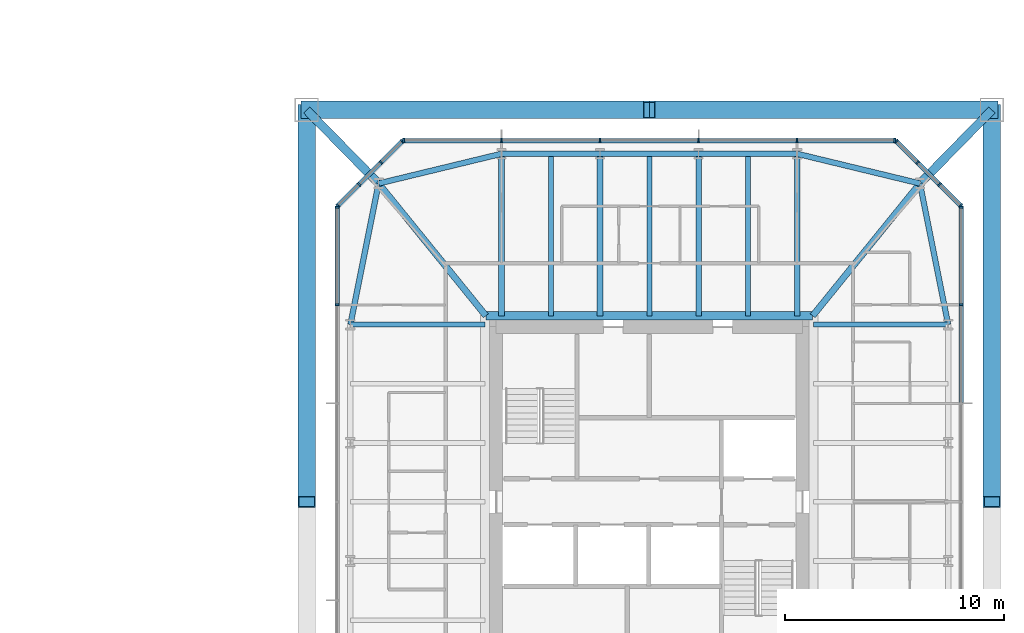
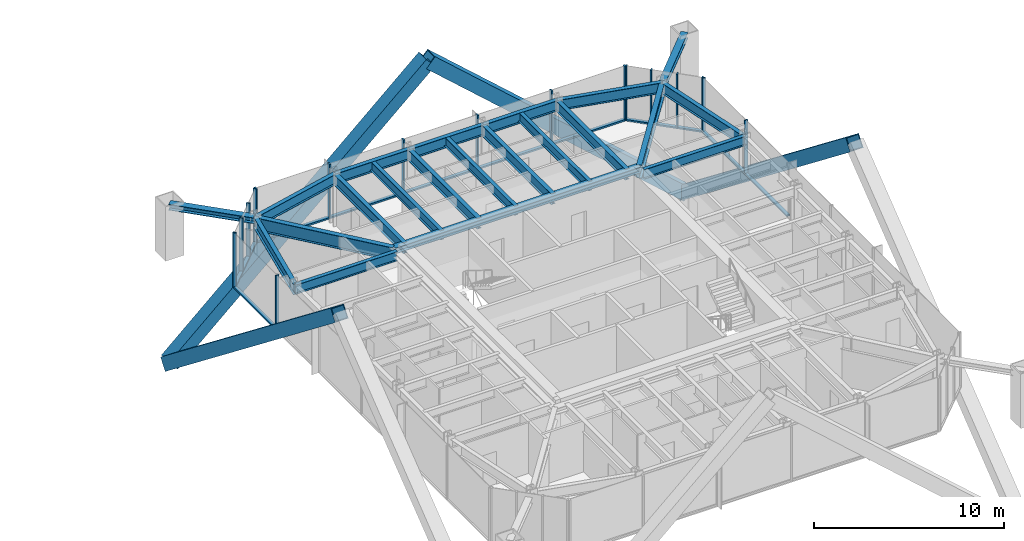
# One storey, part 10 of 25: 38 members, 19 beams, 5 elements without a shape of their own.
"""IFC4 building model written with IfcOpenShell, lengths in metres."""

from ifc_helpers import new_model, si_unit, direction, frame, origin, origin_2d, place, context, subcontext, project, spatial, rectangle, hollow_rectangle, i_section, extrude, material, material_profile, profile_set, type_object, element, aggregate, save


model = new_model("IFC4")

# Units and contexts
model_context = context("Model", 3, precision=1e-05, world=origin(), true_north=direction((0.0, 1.0)))
body_context = subcontext(model_context, "Body", "Model", "MODEL_VIEW")
ifc_project = project(units=[si_unit("LENGTHUNIT", "METRE"), si_unit("AREAUNIT", "SQUARE_METRE"), si_unit("VOLUMEUNIT", "CUBIC_METRE"), si_unit("PLANEANGLEUNIT", "RADIAN"), si_unit("MASSUNIT", "GRAM", prefix="KILO")], contexts=[model_context])

# Site, building, storey
site_placement = place(None, origin())
site = spatial("IfcSite", under=ifc_project, at=site_placement, CompositionType="ELEMENT")
building_placement = place(site_placement, origin())
building = spatial("IfcBuilding", under=site, at=building_placement, Name="Iwan Alto Co-Living Towers", CompositionType="ELEMENT")
storey_placement = place(building_placement, frame((0.0, 0.0, 108.5)))
storey = spatial("IfcBuildingStorey", under=building, at=storey_placement, Name="L29", CompositionType="ELEMENT", Elevation=108.5)

# Curtain wall, members
ifc_material_1 = material(Name="Bronze aluminium unitised frame", Category="aluminium")
curtain_wall_type_1 = type_object("IfcCurtainWallType", Name="CURTAIN WALL CW-C", PredefinedType="NOTDEFINED", material=ifc_material_1)
curtain_wall_1_placement = place(storey_placement, origin())
curtain_wall_1 = element("IfcCurtainWall", 1, at=curtain_wall_1_placement, inside=storey, type_object=curtain_wall_type_1, Name="T2 curtain wall E L29", PredefinedType="NOTDEFINED")
ifc_material_2 = material(Name="Aluminium 6063-T6 bronze anodised", Category="aluminium")
ifc_material_profile_1 = material_profile(ifc_material_2, rectangle(XDim=0.199951171875, YDim=0.080078125, at=origin_2d()), Name="AL 80X200")
ifc_profile_set_1 = profile_set([ifc_material_profile_1], Name="Aluminium 6063-T6 bronze anodised")
member_type_1 = type_object("IfcMemberType", Name="CW-C MULLION 80X200", PredefinedType="MULLION", material=ifc_profile_set_1)
member_1_placement = place(storey_placement, frame((77.25, 9.0, 0.0), z_axis=(0.0, 0.0, 1.0), x_axis=(-1.0, 0.0, 0.0)))
member_1 = element("IfcMember", 2, at=member_1_placement, type_object=member_type_1, Name="CW-C mullion 6", PredefinedType="MULLION", context=body_context, shape_type="SweptSolid", body=[
    extrude(rectangle(XDim=0.199951171875, YDim=0.080078125, at=origin_2d()), origin(), (0.0, 0.0, 1.0), 3.5),
])
member_2_placement = place(storey_placement, frame((77.25, 13.4599609375, 0.0), z_axis=(0.0, 0.0, 1.0), x_axis=(-1.0, 0.0, 0.0)))
member_2 = element("IfcMember", 3, at=member_2_placement, type_object=member_type_1, Name="CW-C mullion 7", PredefinedType="MULLION", context=body_context, shape_type="SweptSolid", body=[
    extrude(rectangle(XDim=0.199951171875, YDim=0.080078125, at=origin_2d()), origin(), (0.0, 0.0, 1.0), 3.5),
])

curtain_wall_2_placement = place(storey_placement, origin())
curtain_wall_2 = element("IfcCurtainWall", 4, at=curtain_wall_2_placement, inside=storey, type_object=curtain_wall_type_1, Name="T2 curtain wall N L29", PredefinedType="NOTDEFINED")
member_3_placement = place(storey_placement, frame((74.2099609375, 16.5, 0.0), z_axis=(0.0, 0.0, 1.0), x_axis=(0.0, -1.0, 0.0)))
member_3 = element("IfcMember", 5, at=member_3_placement, type_object=member_type_1, Name="CW-C mullion 1", PredefinedType="MULLION", context=body_context, shape_type="SweptSolid", body=[
    extrude(rectangle(XDim=0.199951171875, YDim=0.080078125, at=origin_2d()), origin(), (0.0, 0.0, 1.0), 3.5),
])
member_4_placement = place(storey_placement, frame((69.75, 16.5, 0.0), z_axis=(0.0, 0.0, 1.0), x_axis=(0.0, -1.0, 0.0)))
member_4 = element("IfcMember", 6, at=member_4_placement, type_object=member_type_1, Name="CW-C mullion 2", PredefinedType="MULLION", context=body_context, shape_type="SweptSolid", body=[
    extrude(rectangle(XDim=0.199951171875, YDim=0.080078125, at=origin_2d()), origin(), (0.0, 0.0, 1.0), 3.5),
])
member_5_placement = place(storey_placement, frame((65.25, 16.5, 0.0), z_axis=(0.0, 0.0, 1.0), x_axis=(0.0, -1.0, 0.0)))
member_5 = element("IfcMember", 7, at=member_5_placement, type_object=member_type_1, Name="CW-C mullion 3", PredefinedType="MULLION", context=body_context, shape_type="SweptSolid", body=[
    extrude(rectangle(XDim=0.199951171875, YDim=0.080078125, at=origin_2d()), origin(), (0.0, 0.0, 1.0), 3.5),
])
member_6_placement = place(storey_placement, frame((60.75, 16.5, 0.0), z_axis=(0.0, 0.0, 1.0), x_axis=(0.0, -1.0, 0.0)))
member_6 = element("IfcMember", 8, at=member_6_placement, type_object=member_type_1, Name="CW-C mullion 4", PredefinedType="MULLION", context=body_context, shape_type="SweptSolid", body=[
    extrude(rectangle(XDim=0.199951171875, YDim=0.080078125, at=origin_2d()), origin(), (0.0, 0.0, 1.0), 3.5),
])
member_7_placement = place(storey_placement, frame((56.25, 16.5, 0.0), z_axis=(0.0, 0.0, 1.0), x_axis=(0.0, -1.0, 0.0)))
member_7 = element("IfcMember", 9, at=member_7_placement, type_object=member_type_1, Name="CW-C mullion 5", PredefinedType="MULLION", context=body_context, shape_type="SweptSolid", body=[
    extrude(rectangle(XDim=0.199951171875, YDim=0.080078125, at=origin_2d()), origin(), (0.0, 0.0, 1.0), 3.5),
])
member_8_placement = place(storey_placement, frame((51.7900390625, 16.5, 0.0), z_axis=(0.0, 0.0, 1.0), x_axis=(0.0, -1.0, 0.0)))
member_8 = element("IfcMember", 10, at=member_8_placement, type_object=member_type_1, Name="CW-C mullion 6", PredefinedType="MULLION", context=body_context, shape_type="SweptSolid", body=[
    extrude(rectangle(XDim=0.199951171875, YDim=0.080078125, at=origin_2d()), origin(), (0.0, 0.0, 1.0), 3.5),
])

curtain_wall_3_placement = place(storey_placement, origin())
curtain_wall_3 = element("IfcCurtainWall", 11, at=curtain_wall_3_placement, inside=storey, type_object=curtain_wall_type_1, Name="T2 curtain wall W L29", PredefinedType="NOTDEFINED")
member_9_placement = place(storey_placement, frame((48.75, 13.4599609375, 0.0), z_axis=(0.0, 0.0, 1.0), x_axis=(1.0, 0.0, 0.0)))
member_9 = element("IfcMember", 12, at=member_9_placement, type_object=member_type_1, Name="CW-C mullion 1", PredefinedType="MULLION", context=body_context, shape_type="SweptSolid", body=[
    extrude(rectangle(XDim=0.199951171875, YDim=0.080078125, at=origin_2d()), origin(), (0.0, 0.0, 1.0), 3.5),
])
member_10_placement = place(storey_placement, frame((48.75, 9.0, 0.0), z_axis=(0.0, 0.0, 1.0), x_axis=(1.0, 0.0, 0.0)))
member_10 = element("IfcMember", 13, at=member_10_placement, type_object=member_type_1, Name="CW-C mullion 2", PredefinedType="MULLION", context=body_context, shape_type="SweptSolid", body=[
    extrude(rectangle(XDim=0.199951171875, YDim=0.080078125, at=origin_2d()), origin(), (0.0, 0.0, 1.0), 3.5),
])

# Member
ifc_material_3 = material(Name="Aluminium 6063-T6 bronze anodised", Category="aluminium")
ifc_material_profile_2 = material_profile(ifc_material_3, rectangle(XDim=0.199951171875, YDim=0.10009765625, at=origin_2d()), Name="AL 200X100")
ifc_profile_set_2 = profile_set([ifc_material_profile_2], Name="Aluminium 6063-T6 bronze anodised")
member_type_2 = type_object("IfcMemberType", Name="CW-C TRANSOM 200X100", PredefinedType="USERDEFINED", material=ifc_profile_set_2)
member_11_placement = place(storey_placement, frame((77.25, 4.5400390625, 0.050048828125), z_axis=(0.0, 1.0, 0.0), x_axis=(-1.0, 0.0, 0.0)))
member_11 = element("IfcMember", 14, at=member_11_placement, type_object=member_type_2, Name="CW-C transom 5.1", ObjectType="TRANSOM", PredefinedType="USERDEFINED", context=body_context, shape_type="SweptSolid", body=[
    extrude(rectangle(XDim=0.199951171875, YDim=0.10009765625, at=origin_2d()), origin(), (0.0, 0.0, 1.0), 4.419921875),
])

member_12_placement = place(storey_placement, frame((77.25, 9.0400390625, 0.050048828125), z_axis=(0.0, 1.0, 0.0), x_axis=(-1.0, 0.0, 0.0)))
member_12 = element("IfcMember", 15, at=member_12_placement, type_object=member_type_2, Name="CW-C transom 6.1", ObjectType="TRANSOM", PredefinedType="USERDEFINED", context=body_context, shape_type="SweptSolid", body=[
    extrude(rectangle(XDim=0.199951171875, YDim=0.10009765625, at=origin_2d()), origin(), (0.0, 0.0, 1.0), 4.3798828125),
])

aggregate(curtain_wall_1, [member_1, member_2, member_11, member_12])

member_13_placement = place(storey_placement, frame((74.169921875, 16.5, 0.050048828125), z_axis=(-1.0, 0.0, 0.0), x_axis=(0.0, -1.0, 0.0)))
member_13 = element("IfcMember", 16, at=member_13_placement, type_object=member_type_2, Name="CW-C transom 1.1", ObjectType="TRANSOM", PredefinedType="USERDEFINED", context=body_context, shape_type="SweptSolid", body=[
    extrude(rectangle(XDim=0.199951171875, YDim=0.10009765625, at=origin_2d()), origin(), (0.0, 0.0, 1.0), 4.3798828125),
])

member_14_placement = place(storey_placement, frame((69.7099609375, 16.5, 0.050048828125), z_axis=(-1.0, 0.0, 0.0), x_axis=(0.0, -1.0, 0.0)))
member_14 = element("IfcMember", 17, at=member_14_placement, type_object=member_type_2, Name="CW-C transom 2.1", ObjectType="TRANSOM", PredefinedType="USERDEFINED", context=body_context, shape_type="SweptSolid", body=[
    extrude(rectangle(XDim=0.199951171875, YDim=0.10009765625, at=origin_2d()), origin(), (0.0, 0.0, 1.0), 4.419921875),
])

member_15_placement = place(storey_placement, frame((65.2099609375, 16.5, 0.050048828125), z_axis=(-1.0, 0.0, 0.0), x_axis=(0.0, -1.0, 0.0)))
member_15 = element("IfcMember", 18, at=member_15_placement, type_object=member_type_2, Name="CW-C transom 3.1", ObjectType="TRANSOM", PredefinedType="USERDEFINED", context=body_context, shape_type="SweptSolid", body=[
    extrude(rectangle(XDim=0.199951171875, YDim=0.10009765625, at=origin_2d()), origin(), (0.0, 0.0, 1.0), 4.419921875),
])

member_16_placement = place(storey_placement, frame((60.7099609375, 16.5, 0.050048828125), z_axis=(-1.0, 0.0, 0.0), x_axis=(0.0, -1.0, 0.0)))
member_16 = element("IfcMember", 19, at=member_16_placement, type_object=member_type_2, Name="CW-C transom 4.1", ObjectType="TRANSOM", PredefinedType="USERDEFINED", context=body_context, shape_type="SweptSolid", body=[
    extrude(rectangle(XDim=0.199951171875, YDim=0.10009765625, at=origin_2d()), origin(), (0.0, 0.0, 1.0), 4.419921875),
])

member_17_placement = place(storey_placement, frame((56.2099609375, 16.5, 0.050048828125), z_axis=(-1.0, 0.0, 0.0), x_axis=(0.0, -1.0, 0.0)))
member_17 = element("IfcMember", 20, at=member_17_placement, type_object=member_type_2, Name="CW-C transom 5.1", ObjectType="TRANSOM", PredefinedType="USERDEFINED", context=body_context, shape_type="SweptSolid", body=[
    extrude(rectangle(XDim=0.199951171875, YDim=0.10009765625, at=origin_2d()), origin(), (0.0, 0.0, 1.0), 4.3798828125),
])

aggregate(curtain_wall_2, [member_3, member_4, member_5, member_6, member_7, member_8, member_13, member_14, member_15, member_16, member_17])

member_18_placement = place(storey_placement, frame((48.75, 13.419921875, 0.050048828125), z_axis=(0.0, -1.0, 0.0), x_axis=(1.0, 0.0, 0.0)))
member_18 = element("IfcMember", 21, at=member_18_placement, type_object=member_type_2, Name="CW-C transom 1.1", ObjectType="TRANSOM", PredefinedType="USERDEFINED", context=body_context, shape_type="SweptSolid", body=[
    extrude(rectangle(XDim=0.199951171875, YDim=0.10009765625, at=origin_2d()), origin(), (0.0, 0.0, 1.0), 4.3798828125),
])

aggregate(curtain_wall_3, [member_9, member_10, member_18])

# Curtain wall, members
ifc_material_4 = material(Name="Bronze aluminium unitised frame", Category="aluminium")
curtain_wall_type_2 = type_object("IfcCurtainWallType", Name="CURTAIN WALL CW-D", PredefinedType="NOTDEFINED", material=ifc_material_4)
curtain_wall_4_placement = place(storey_placement, origin())
curtain_wall_4 = element("IfcCurtainWall", 22, at=curtain_wall_4_placement, inside=storey, type_object=curtain_wall_type_2, Name="T2 chamfer curtain wall NE L29", PredefinedType="NOTDEFINED")
ifc_material_5 = material(Name="Aluminium 6063-T6 bronze anodised", Category="aluminium")
ifc_material_profile_3 = material_profile(ifc_material_5, rectangle(XDim=0.199951171875, YDim=0.080078125, at=origin_2d()), Name="AL 80X200")
ifc_profile_set_3 = profile_set([ifc_material_profile_3], Name="Aluminium 6063-T6 bronze anodised")
member_type_3 = type_object("IfcMemberType", Name="CW-D MULLION 80X200", PredefinedType="MULLION", material=ifc_profile_set_3)
member_19_placement = place(storey_placement, frame((77.2216796875, 13.5283203125, 0.0), z_axis=(0.0, 0.0, 1.0), x_axis=(-0.707106781187, -0.707106781187, 0.0)))
member_19 = element("IfcMember", 23, at=member_19_placement, type_object=member_type_3, Name="CW-D mullion 1", PredefinedType="MULLION", context=body_context, shape_type="SweptSolid", body=[
    extrude(rectangle(XDim=0.199951171875, YDim=0.080078125, at=origin_2d()), origin(), (0.0, 0.0, 1.0), 3.5),
])
member_20_placement = place(storey_placement, frame((76.25, 14.5, 0.0), z_axis=(0.0, 0.0, 1.0), x_axis=(-0.707106781187, -0.707106781187, 0.0)))
member_20 = element("IfcMember", 24, at=member_20_placement, type_object=member_type_3, Name="CW-D mullion 2", PredefinedType="MULLION", context=body_context, shape_type="SweptSolid", body=[
    extrude(rectangle(XDim=0.199951171875, YDim=0.080078125, at=origin_2d()), origin(), (0.0, 0.0, 1.0), 3.5),
])
member_21_placement = place(storey_placement, frame((75.25, 15.5, 0.0), z_axis=(0.0, 0.0, 1.0), x_axis=(-0.707106781187, -0.707106781187, 0.0)))
member_21 = element("IfcMember", 25, at=member_21_placement, type_object=member_type_3, Name="CW-D mullion 3", PredefinedType="MULLION", context=body_context, shape_type="SweptSolid", body=[
    extrude(rectangle(XDim=0.199951171875, YDim=0.080078125, at=origin_2d()), origin(), (0.0, 0.0, 1.0), 3.5),
])
member_22_placement = place(storey_placement, frame((74.2783203125, 16.4716796875, 0.0), z_axis=(0.0, 0.0, 1.0), x_axis=(-0.707106781187, -0.707106781187, 0.0)))
member_22 = element("IfcMember", 26, at=member_22_placement, type_object=member_type_3, Name="CW-D mullion 4", PredefinedType="MULLION", context=body_context, shape_type="SweptSolid", body=[
    extrude(rectangle(XDim=0.199951171875, YDim=0.080078125, at=origin_2d()), origin(), (0.0, 0.0, 1.0), 3.5),
])

curtain_wall_5_placement = place(storey_placement, origin())
curtain_wall_5 = element("IfcCurtainWall", 27, at=curtain_wall_5_placement, inside=storey, type_object=curtain_wall_type_2, Name="T2 chamfer curtain wall NW L29", PredefinedType="NOTDEFINED")
member_23_placement = place(storey_placement, frame((51.7216796875, 16.4716796875, 0.0), z_axis=(0.0, 0.0, 1.0), x_axis=(0.707106781187, -0.707106781187, 0.0)))
member_23 = element("IfcMember", 28, at=member_23_placement, type_object=member_type_3, Name="CW-D mullion 1", PredefinedType="MULLION", context=body_context, shape_type="SweptSolid", body=[
    extrude(rectangle(XDim=0.199951171875, YDim=0.080078125, at=origin_2d()), origin(), (0.0, 0.0, 1.0), 3.5),
])
member_24_placement = place(storey_placement, frame((50.75, 15.5, 0.0), z_axis=(0.0, 0.0, 1.0), x_axis=(0.707106781187, -0.707106781187, 0.0)))
member_24 = element("IfcMember", 29, at=member_24_placement, type_object=member_type_3, Name="CW-D mullion 2", PredefinedType="MULLION", context=body_context, shape_type="SweptSolid", body=[
    extrude(rectangle(XDim=0.199951171875, YDim=0.080078125, at=origin_2d()), origin(), (0.0, 0.0, 1.0), 3.5),
])
member_25_placement = place(storey_placement, frame((49.75, 14.5, 0.0), z_axis=(0.0, 0.0, 1.0), x_axis=(0.707106781187, -0.707106781187, 0.0)))
member_25 = element("IfcMember", 30, at=member_25_placement, type_object=member_type_3, Name="CW-D mullion 3", PredefinedType="MULLION", context=body_context, shape_type="SweptSolid", body=[
    extrude(rectangle(XDim=0.199951171875, YDim=0.080078125, at=origin_2d()), origin(), (0.0, 0.0, 1.0), 3.5),
])
member_26_placement = place(storey_placement, frame((48.7783203125, 13.5283203125, 0.0), z_axis=(0.0, 0.0, 1.0), x_axis=(0.707106781187, -0.707106781187, 0.0)))
member_26 = element("IfcMember", 31, at=member_26_placement, type_object=member_type_3, Name="CW-D mullion 4", PredefinedType="MULLION", context=body_context, shape_type="SweptSolid", body=[
    extrude(rectangle(XDim=0.199951171875, YDim=0.080078125, at=origin_2d()), origin(), (0.0, 0.0, 1.0), 3.5),
])

# Member
ifc_material_6 = material(Name="Aluminium 6063-T6 bronze anodised", Category="aluminium")
ifc_material_profile_4 = material_profile(ifc_material_6, rectangle(XDim=0.199951171875, YDim=0.10009765625, at=origin_2d()), Name="AL 200X100")
ifc_profile_set_4 = profile_set([ifc_material_profile_4], Name="Aluminium 6063-T6 bronze anodised")
member_type_4 = type_object("IfcMemberType", Name="CW-D TRANSOM 200X100", PredefinedType="USERDEFINED", material=ifc_profile_set_4)
member_27_placement = place(storey_placement, frame((77.193359375, 13.556640625, 0.050048828125), z_axis=(-0.707106781187, 0.707106781187, 0.0), x_axis=(-0.707106781187, -0.707106781187, 0.0)))
member_27 = element("IfcMember", 32, at=member_27_placement, type_object=member_type_4, Name="CW-D transom 1.1", ObjectType="TRANSOM", PredefinedType="USERDEFINED", context=body_context, shape_type="SweptSolid", body=[
    extrude(rectangle(XDim=0.199951171875, YDim=0.10009765625, at=origin_2d()), origin(), (0.0, 0.0, 1.0), 1.2939453125),
])

member_28_placement = place(storey_placement, frame((76.2216796875, 14.5283203125, 0.050048828125), z_axis=(-0.707106781187, 0.707106781187, 0.0), x_axis=(-0.707106781187, -0.707106781187, 0.0)))
member_28 = element("IfcMember", 33, at=member_28_placement, type_object=member_type_4, Name="CW-D transom 2.1", ObjectType="TRANSOM", PredefinedType="USERDEFINED", context=body_context, shape_type="SweptSolid", body=[
    extrude(rectangle(XDim=0.199951171875, YDim=0.10009765625, at=origin_2d()), origin(), (0.0, 0.0, 1.0), 1.334228515625),
])

member_29_placement = place(storey_placement, frame((75.2216796875, 15.5283203125, 0.050048828125), z_axis=(-0.707106781187, 0.707106781187, 0.0), x_axis=(-0.707106781187, -0.707106781187, 0.0)))
member_29 = element("IfcMember", 34, at=member_29_placement, type_object=member_type_4, Name="CW-D transom 3.1", ObjectType="TRANSOM", PredefinedType="USERDEFINED", context=body_context, shape_type="SweptSolid", body=[
    extrude(rectangle(XDim=0.199951171875, YDim=0.10009765625, at=origin_2d()), origin(), (0.0, 0.0, 1.0), 1.2939453125),
])

aggregate(curtain_wall_4, [member_19, member_20, member_21, member_22, member_27, member_28, member_29])

member_30_placement = place(storey_placement, frame((51.693359375, 16.443359375, 0.050048828125), z_axis=(-0.707106781187, -0.707106781187, 0.0), x_axis=(0.707106781187, -0.707106781187, 0.0)))
member_30 = element("IfcMember", 35, at=member_30_placement, type_object=member_type_4, Name="CW-D transom 1.1", ObjectType="TRANSOM", PredefinedType="USERDEFINED", context=body_context, shape_type="SweptSolid", body=[
    extrude(rectangle(XDim=0.199951171875, YDim=0.10009765625, at=origin_2d()), origin(), (0.0, 0.0, 1.0), 1.2939453125),
])

member_31_placement = place(storey_placement, frame((50.7216796875, 15.4716796875, 0.050048828125), z_axis=(-0.707106781187, -0.707106781187, 0.0), x_axis=(0.707106781187, -0.707106781187, 0.0)))
member_31 = element("IfcMember", 36, at=member_31_placement, type_object=member_type_4, Name="CW-D transom 2.1", ObjectType="TRANSOM", PredefinedType="USERDEFINED", context=body_context, shape_type="SweptSolid", body=[
    extrude(rectangle(XDim=0.199951171875, YDim=0.10009765625, at=origin_2d()), origin(), (0.0, 0.0, 1.0), 1.334228515625),
])

member_32_placement = place(storey_placement, frame((49.7216796875, 14.4716796875, 0.050048828125), z_axis=(-0.707106781187, -0.707106781187, 0.0), x_axis=(0.707106781187, -0.707106781187, 0.0)))
member_32 = element("IfcMember", 37, at=member_32_placement, type_object=member_type_4, Name="CW-D transom 3.1", ObjectType="TRANSOM", PredefinedType="USERDEFINED", context=body_context, shape_type="SweptSolid", body=[
    extrude(rectangle(XDim=0.199951171875, YDim=0.10009765625, at=origin_2d()), origin(), (0.0, 0.0, 1.0), 1.2939453125),
])

aggregate(curtain_wall_5, [member_23, member_24, member_25, member_26, member_30, member_31, member_32])

# Beams
ifc_material_7 = material(Name="Steel ASTM A992 Gr 50", Category="steel")
ifc_material_profile_5 = material_profile(ifc_material_7, i_section(OverallWidth=0.398681640625, OverallDepth=0.385986328125, WebThickness=0.02099609375, FlangeThickness=0.033203125, at=origin_2d()), Name="W14X176")
ifc_profile_set_5 = profile_set([ifc_material_profile_5], Name="Steel ASTM A992 Gr 50")
beam_type_1 = type_object("IfcBeamType", Name="T2 CORE LEDGER BEAM W14X176", PredefinedType="BEAM", material=ifc_profile_set_5)
beam_1_placement = place(storey_placement, frame((70.461669921875, 8.49951171875, 3.076904296875), z_axis=(-1.0, 0.0, 0.0), x_axis=(0.0, -1.0, 0.0)))
element("IfcBeam", 38, at=beam_1_placement, inside=storey, type_object=beam_type_1, Name="T2 core ledger beam N L30", PredefinedType="BEAM", context=body_context, shape_type="SweptSolid", body=[
    extrude(i_section(OverallWidth=0.398681640625, OverallDepth=0.385986328125, WebThickness=0.02099609375, FlangeThickness=0.033203125, at=origin_2d()), origin(), (0.0, 0.0, 1.0), 14.92333984375),
])
ifc_material_8 = material(Name="Steel ASTM A992 Gr 50", Category="steel")
ifc_material_profile_6 = material_profile(ifc_material_8, i_section(OverallWidth=0.2919921875, OverallDepth=0.8408203125, WebThickness=0.0146484375, FlangeThickness=0.021728515625, at=origin_2d()), Name="W33X130")
ifc_profile_set_6 = profile_set([ifc_material_profile_6], Name="Steel ASTM A992 Gr 50")
beam_type_2 = type_object("IfcBeamType", Name="T2 CORNER GIRDER W33X130", PredefinedType="BEAM", material=ifc_profile_set_6)
for number, where, z_axis, x_axis, name in (
    (39, (75.361328125, 14.542724609375, 2.849609375), (-0.629783024592, -0.776771100091, 0.0), (0.776771100091, -0.629783024592, 0.0), "T2 corner girder CNE L30"),
    (40, (50.638671875, 14.542724609375, 2.849609375), (0.629783024592, -0.776771100091, 0.0), (0.776771100091, 0.629783024592, 0.0), "T2 corner girder CNW L30"),
):
    element("IfcBeam", number, at=place(storey_placement, frame(where, z_axis=z_axis, x_axis=x_axis)), inside=storey, type_object=beam_type_2, Name=name, PredefinedType="BEAM", context=body_context, shape_type="SweptSolid", body=[
        extrude(i_section(OverallWidth=0.2919921875, OverallDepth=0.8408203125, WebThickness=0.0146484375, FlangeThickness=0.021728515625, at=origin_2d()), origin(), (0.0, 0.0, 1.0), 7.780029296875),
    ])
ifc_material_9 = material(Name="Steel ASTM A992 Gr 50", Category="steel")
ifc_material_profile_7 = material_profile(ifc_material_9, i_section(OverallWidth=0.25390625, OverallDepth=0.683349609375, WebThickness=0.012451171875, FlangeThickness=0.018798828125, at=origin_2d()), Name="W27X94")
ifc_profile_set_7 = profile_set([ifc_material_profile_7], Name="Steel ASTM A992 Gr 50")
beam_type_3 = type_object("IfcBeamType", Name="T2 EDGE BEAM W27X94", PredefinedType="BEAM", material=ifc_profile_set_7)
beam_2_placement = place(storey_placement, frame((76.64990234375, 8.10009765625, 2.928466796875), z_axis=(-0.196123281025, 0.980579246487, 0.0), x_axis=(-0.980579246487, -0.196123281025, 0.0)))
element("IfcBeam", 41, at=beam_2_placement, inside=storey, type_object=beam_type_3, Name="T2 edge beam E4 L30", PredefinedType="BEAM", context=body_context, shape_type="SweptSolid", body=[
    extrude(i_section(OverallWidth=0.25390625, OverallDepth=0.683349609375, WebThickness=0.012451171875, FlangeThickness=0.018798828125, at=origin_2d()), origin(), (0.0, 0.0, 1.0), 6.5703125),
])
beam_3_placement = place(storey_placement, frame((75.361328125, 14.542724609375, 2.928466796875), z_axis=(-0.971974673138, 0.235085590323, 0.0), x_axis=(-0.235085590323, -0.971974673138, 0.0)))
element("IfcBeam", 42, at=beam_3_placement, inside=storey, type_object=beam_type_3, Name="T2 edge beam CNE L30", PredefinedType="BEAM", context=body_context, shape_type="SweptSolid", body=[
    extrude(i_section(OverallWidth=0.25390625, OverallDepth=0.683349609375, WebThickness=0.012451171875, FlangeThickness=0.018798828125, at=origin_2d()), origin(), (0.0, 0.0, 1.0), 5.773193359375),
])
for number, where, z_axis, x_axis, name in (
    (43, (69.75, 15.89990234375, 2.928466796875), (-1.0, 0.0, 0.0), (0.0, -1.0, 0.0), "T2 edge beam N1 L30"),
    (44, (65.25, 15.89990234375, 2.928466796875), (-1.0, 0.0, 0.0), (0.0, -1.0, 0.0), "T2 edge beam N2 L30"),
    (45, (60.75, 15.89990234375, 2.928466796875), (-1.0, 0.0, 0.0), (0.0, -1.0, 0.0), "T2 edge beam N3 L30"),
):
    element("IfcBeam", number, at=place(storey_placement, frame(where, z_axis=z_axis, x_axis=x_axis)), inside=storey, type_object=beam_type_3, Name=name, PredefinedType="BEAM", context=body_context, shape_type="SweptSolid", body=[
        extrude(i_section(OverallWidth=0.25390625, OverallDepth=0.683349609375, WebThickness=0.012451171875, FlangeThickness=0.018798828125, at=origin_2d()), origin(), (0.0, 0.0, 1.0), 4.5),
    ])
beam_4_placement = place(storey_placement, frame((56.25, 15.89990234375, 2.928466796875), z_axis=(-0.971974673138, -0.235085590323, 0.0), x_axis=(0.235085590323, -0.971974673138, 0.0)))
element("IfcBeam", 46, at=beam_4_placement, inside=storey, type_object=beam_type_3, Name="T2 edge beam N4 L30", PredefinedType="BEAM", context=body_context, shape_type="SweptSolid", body=[
    extrude(i_section(OverallWidth=0.25390625, OverallDepth=0.683349609375, WebThickness=0.012451171875, FlangeThickness=0.018798828125, at=origin_2d()), origin(), (0.0, 0.0, 1.0), 5.773193359375),
])
beam_5_placement = place(storey_placement, frame((50.638671875, 14.542724609375, 2.928466796875), z_axis=(-0.196123281025, -0.980579246487, 0.0), x_axis=(0.980579246487, -0.196123281025, 0.0)))
element("IfcBeam", 47, at=beam_5_placement, inside=storey, type_object=beam_type_3, Name="T2 edge beam CNW L30", PredefinedType="BEAM", context=body_context, shape_type="SweptSolid", body=[
    extrude(i_section(OverallWidth=0.25390625, OverallDepth=0.683349609375, WebThickness=0.012451171875, FlangeThickness=0.018798828125, at=origin_2d()), origin(), (0.0, 0.0, 1.0), 6.5703125),
])

# Members
ifc_material_10 = material(Name="Steel ASTM A572 Gr 50", Category="steel")
ifc_material_profile_8 = material_profile(ifc_material_10, hollow_rectangle(XDim=0.800048828125, YDim=0.800048828125, WallThickness=0.050048828125, at=origin_2d()), Name="BOX 800X800X50")
ifc_profile_set_8 = profile_set([ifc_material_profile_8], Name="Steel ASTM A572 Gr 50")
member_type_5 = type_object("IfcMemberType", Name="T2 MEGA BRACE BOX 800X800X50", PredefinedType="BRACE", material=ifc_profile_set_8)
member_33_placement = place(storey_placement, frame((78.64990234375, 17.89990234375, -7.0), z_axis=(0.0, -0.787689053125, 0.616073011572), x_axis=(1.0, 0.0, 0.0)))
element("IfcMember", 48, at=member_33_placement, inside=storey, type_object=member_type_5, Name="T2 mega brace Z2B E 2 lower", PredefinedType="BRACE", context=body_context, shape_type="SweptSolid", body=[
    extrude(hollow_rectangle(XDim=0.800048828125, YDim=0.800048828125, WallThickness=0.050048828125, at=origin_2d()), origin(), (0.0, 0.0, 1.0), 22.724609375),
])
for number, where, z_axis, x_axis, name in (
    (49, (78.64990234375, 17.89990234375, -7.0), (-0.745301519455, 0.0, 0.666727564376), (0.0, -1.0, 0.0), "T2 mega brace Z2B N 1 lower"),
    (50, (47.35009765625, 17.89990234375, -7.0), (0.745301519455, 0.0, 0.666727564376), (0.0, 1.0, 0.0), "T2 mega brace Z2B N 2 lower"),
):
    element("IfcMember", number, at=place(storey_placement, frame(where, z_axis=z_axis, x_axis=x_axis)), inside=storey, type_object=member_type_5, Name=name, PredefinedType="BRACE", context=body_context, shape_type="SweptSolid", body=[
        extrude(hollow_rectangle(XDim=0.800048828125, YDim=0.800048828125, WallThickness=0.050048828125, at=origin_2d()), origin(), (0.0, 0.0, 1.0), 20.998046875),
    ])
member_34_placement = place(storey_placement, frame((47.35009765625, 17.89990234375, -7.0), z_axis=(0.0, -0.787689053125, 0.616073011572), x_axis=(1.0, 0.0, 0.0)))
element("IfcMember", 51, at=member_34_placement, inside=storey, type_object=member_type_5, Name="T2 mega brace Z2B W 1 lower", PredefinedType="BRACE", context=body_context, shape_type="SweptSolid", body=[
    extrude(hollow_rectangle(XDim=0.800048828125, YDim=0.800048828125, WallThickness=0.050048828125, at=origin_2d()), origin(), (0.0, 0.0, 1.0), 22.724609375),
])
ifc_material_11 = material(Name="Steel ASTM A992 Gr 50", Category="steel")
ifc_material_profile_9 = material_profile(ifc_material_11, i_section(OverallWidth=0.393798828125, OverallDepth=0.3759765625, WebThickness=0.017333984375, FlangeThickness=0.027587890625, at=origin_2d()), Name="W14X145")
ifc_profile_set_9 = profile_set([ifc_material_profile_9], Name="Steel ASTM A992 Gr 50")
member_type_6 = type_object("IfcMemberType", Name="T2 MEGA COLUMN FLOOR TIE W14X145", PredefinedType="STRUT", material=ifc_profile_set_9)
for number, where, z_axis, x_axis, name in (
    (52, (78.64990234375, 17.89990234375, 3.08203125), (-0.699770096147, -0.714368121166, 0.0), (0.714368121166, -0.699770096147, 0.0), "T2 mega column floor tie NE L30"),
    (53, (47.35009765625, 17.89990234375, 3.08203125), (0.699770096147, -0.714368121166, 0.0), (0.714368121166, 0.699770096147, 0.0), "T2 mega column floor tie NW L30"),
):
    element("IfcMember", number, at=place(storey_placement, frame(where, z_axis=z_axis, x_axis=x_axis)), inside=storey, type_object=member_type_6, Name=name, PredefinedType="STRUT", context=body_context, shape_type="SweptSolid", body=[
        extrude(i_section(OverallWidth=0.393798828125, OverallDepth=0.3759765625, WebThickness=0.017333984375, FlangeThickness=0.027587890625, at=origin_2d()), origin(), (0.0, 0.0, 1.0), 4.699462890625),
    ])

# Beams
ifc_material_12 = material(Name="Steel ASTM A992 Gr 50", Category="steel")
ifc_material_profile_10 = material_profile(ifc_material_12, i_section(OverallWidth=0.228271484375, OverallDepth=0.607177734375, WebThickness=0.01123046875, FlangeThickness=0.017333984375, at=origin_2d()), Name="W24X76")
ifc_profile_set_10 = profile_set([ifc_material_profile_10], Name="Steel ASTM A992 Gr 50")
beam_type_4 = type_object("IfcBeamType", Name="T2 RADIAL BEAM W24X76", PredefinedType="BEAM", material=ifc_profile_set_10)
for number, where, z_axis, x_axis, name in (
    (54, (76.64990234375, 8.10009765625, 2.966552734375), (-1.0, 0.0, 0.0), (0.0, -1.0, 0.0), "T2 radial beam E4 L30"),
    (55, (49.35009765625, 8.10009765625, 2.966552734375), (1.0, 0.0, 0.0), (0.0, 1.0, 0.0), "T2 radial beam W1 L30"),
):
    element("IfcBeam", number, at=place(storey_placement, frame(where, z_axis=z_axis, x_axis=x_axis)), inside=storey, type_object=beam_type_4, Name=name, PredefinedType="BEAM", context=body_context, shape_type="SweptSolid", body=[
        extrude(i_section(OverallWidth=0.228271484375, OverallDepth=0.607177734375, WebThickness=0.01123046875, FlangeThickness=0.017333984375, at=origin_2d()), origin(), (0.0, 0.0, 1.0), 6.150390625),
    ])
ifc_material_13 = material(Name="Steel ASTM A992 Gr 50", Category="steel")
ifc_material_profile_11 = material_profile(ifc_material_13, i_section(OverallWidth=0.25390625, OverallDepth=0.683349609375, WebThickness=0.012451171875, FlangeThickness=0.018798828125, at=origin_2d()), Name="W27X94")
ifc_profile_set_11 = profile_set([ifc_material_profile_11], Name="Steel ASTM A992 Gr 50")
beam_type_5 = type_object("IfcBeamType", Name="T2 RADIAL BEAM W27X94", PredefinedType="BEAM", material=ifc_profile_set_11)
for number, where, z_axis, x_axis, name in (
    (56, (69.75, 15.89990234375, 2.928466796875), (0.0, -1.0, 0.0), (1.0, 0.0, 0.0), "T2 radial beam N1 L30"),
    (57, (65.25, 15.89990234375, 2.928466796875), (0.0, -1.0, 0.0), (1.0, 0.0, 0.0), "T2 radial beam N2 L30"),
    (58, (60.75, 15.89990234375, 2.928466796875), (0.0, -1.0, 0.0), (1.0, 0.0, 0.0), "T2 radial beam N3 L30"),
    (59, (56.25, 15.89990234375, 2.928466796875), (0.0, -1.0, 0.0), (1.0, 0.0, 0.0), "T2 radial beam N4 L30"),
):
    element("IfcBeam", number, at=place(storey_placement, frame(where, z_axis=z_axis, x_axis=x_axis)), inside=storey, type_object=beam_type_5, Name=name, PredefinedType="BEAM", context=body_context, shape_type="SweptSolid", body=[
        extrude(i_section(OverallWidth=0.25390625, OverallDepth=0.683349609375, WebThickness=0.012451171875, FlangeThickness=0.018798828125, at=origin_2d()), origin(), (0.0, 0.0, 1.0), 7.400390625),
    ])
ifc_material_14 = material(Name="Steel ASTM A992 Gr 50", Category="steel")
ifc_material_profile_12 = material_profile(ifc_material_14, i_section(OverallWidth=0.228271484375, OverallDepth=0.607177734375, WebThickness=0.01123046875, FlangeThickness=0.017333984375, at=origin_2d()), Name="W24X76")
ifc_profile_set_12 = profile_set([ifc_material_profile_12], Name="Steel ASTM A992 Gr 50")
beam_type_6 = type_object("IfcBeamType", Name="T2 SECONDARY BEAM W24X76", PredefinedType="JOIST", material=ifc_profile_set_12)
for number, where, z_axis, x_axis, name in (
    (60, (67.5, 15.89990234375, 2.966552734375), (0.0, -1.0, 0.0), (1.0, 0.0, 0.0), "T2 secondary beam N1 L30"),
    (61, (63.0, 15.89990234375, 2.966552734375), (0.0, -1.0, 0.0), (1.0, 0.0, 0.0), "T2 secondary beam N2 L30"),
    (62, (58.5, 15.89990234375, 2.966552734375), (0.0, -1.0, 0.0), (1.0, 0.0, 0.0), "T2 secondary beam N3 L30"),
):
    element("IfcBeam", number, at=place(storey_placement, frame(where, z_axis=z_axis, x_axis=x_axis)), inside=storey, type_object=beam_type_6, Name=name, PredefinedType="JOIST", context=body_context, shape_type="SweptSolid", body=[
        extrude(i_section(OverallWidth=0.228271484375, OverallDepth=0.607177734375, WebThickness=0.01123046875, FlangeThickness=0.017333984375, at=origin_2d()), origin(), (0.0, 0.0, 1.0), 7.400390625),
    ])

save(model, "model.ifc")
